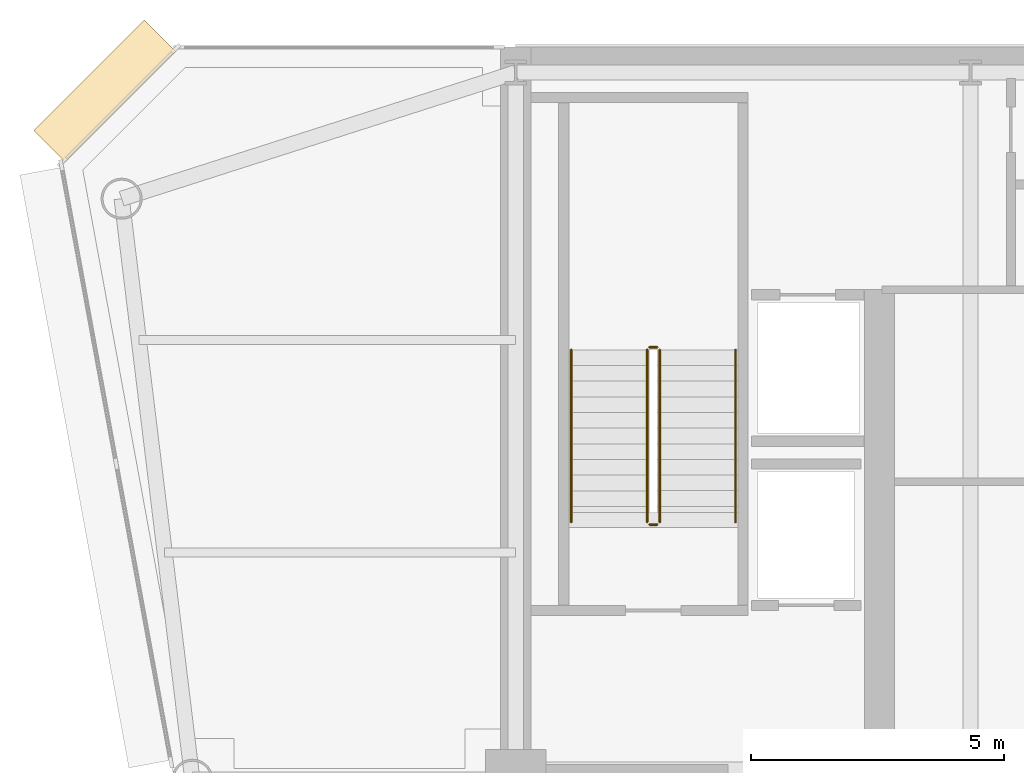
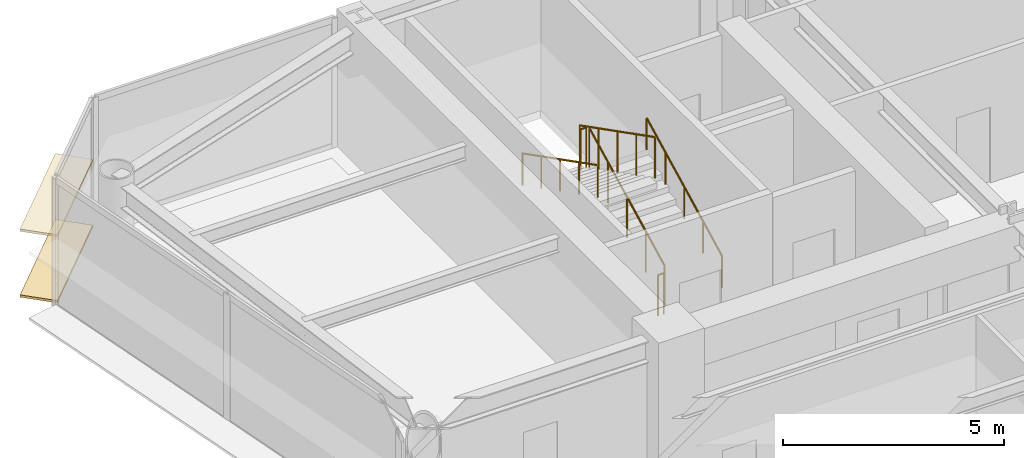
# One storey, part 13 of 15: 6 railings, 2 coverings.
"""IFC4 building model written with IfcOpenShell, lengths in metres."""

from ifc_helpers import new_model, si_unit, direction, frame, origin, origin_2d, place, context, subcontext, project, spatial, rectangle, circle, extrude, source, transform, mapped, material, layer, layer_set, type_object, element, save


model = new_model("IFC4")

# Units and contexts
model_context = context("Model", 3, precision=1e-05, world=origin(), true_north=direction((0.0, 1.0)))
body_context = subcontext(model_context, "Body", "Model", "MODEL_VIEW")
ifc_project = project(units=[si_unit("LENGTHUNIT", "METRE"), si_unit("AREAUNIT", "SQUARE_METRE"), si_unit("VOLUMEUNIT", "CUBIC_METRE"), si_unit("PLANEANGLEUNIT", "RADIAN"), si_unit("MASSUNIT", "GRAM", prefix="KILO")], contexts=[model_context])

# Site, building, storey
site_placement = place(None, origin())
site = spatial("IfcSite", under=ifc_project, at=site_placement, CompositionType="ELEMENT")
building_placement = place(site_placement, origin())
building = spatial("IfcBuilding", under=site, at=building_placement, Name="Vaeldorn Concourse Tower", CompositionType="ELEMENT")
storey_placement = place(building_placement, frame((0.0, 0.0, 199.39990234375)))
storey = spatial("IfcBuildingStorey", under=building, at=storey_placement, Name="L51", CompositionType="ELEMENT", Elevation=199.39990234375)

# Railings
ifc_material = material(Name="Anodised Bronze Aluminium", Category="aluminium")
railing_type_1 = type_object("IfcRailingType", Name="RL-STAIR-GUARD", PredefinedType="GUARDRAIL", material=ifc_material)
railing_1_placement = place(storey_placement, frame((16.85009765625, 41.60009765625, 0.158447265625)))
element("IfcRailing", 1, at=railing_1_placement, inside=storey, type_object=railing_type_1, Name="L51 ST-1 stair guard 1", PredefinedType="GUARDRAIL", context=body_context, shape_type="SweptSolid", body=[
    extrude(circle(Radius=0.02392578125, at=origin_2d()), frame((0.0, 0.0, 1.1259765625), z_axis=(0.0, 0.890555807335, 0.454873997962), x_axis=(-1.0, 0.0, 0.0)), (0.0, 0.0, 1.0), 3.828857421875),
    extrude(circle(Radius=0.02099609375, at=origin_2d()), origin(), (0.0, 0.0, 1.0), 1.101806640625),
    extrude(circle(Radius=0.02099609375, at=origin_2d()), frame((0.0, 0.8525390625, 0.435546875)), (0.0, 0.0, 1.0), 1.101806640625),
    extrude(circle(Radius=0.02099609375, at=origin_2d()), frame((0.0, 1.705078125, 0.870849609375)), (0.0, 0.0, 1.0), 1.101806640625),
    extrude(circle(Radius=0.02099609375, at=origin_2d()), frame((0.0, 2.557373046875, 1.30615234375)), (0.0, 0.0, 1.0), 1.101806640625),
    extrude(circle(Radius=0.02099609375, at=origin_2d()), frame((0.0, 3.409912109375, 1.74169921875)), (0.0, 0.0, 1.0), 1.101806640625),
])
railing_2_placement = place(storey_placement, frame((16.800048828125, 45.06005859375, 1.900146484375)))
element("IfcRailing", 2, at=railing_2_placement, inside=storey, type_object=railing_type_1, Name="L51 ST-1 stair guard 2", PredefinedType="GUARDRAIL", context=body_context, shape_type="SweptSolid", body=[
    extrude(circle(Radius=0.02392578125, at=origin_2d()), frame((0.0, 0.0, 1.1259765625), z_axis=(-1.0, 0.0, 0.0), x_axis=(0.0, -1.0, 0.0)), (0.0, 0.0, 1.0), 0.150146484375),
    extrude(circle(Radius=0.02099609375, at=origin_2d()), origin(), (0.0, 0.0, 1.0), 1.101806640625),
    extrude(circle(Radius=0.02099609375, at=origin_2d()), frame((-0.150146484375, 0.0, 0.0)), (0.0, 0.0, 1.0), 1.101806640625),
])
railing_3_placement = place(storey_placement, frame((16.60009765625, 45.010009765625, 2.058349609375)))
element("IfcRailing", 3, at=railing_3_placement, inside=storey, type_object=railing_type_1, Name="L51 ST-1 stair guard 3", PredefinedType="GUARDRAIL", context=body_context, shape_type="SweptSolid", body=[
    extrude(circle(Radius=0.02392578125, at=origin_2d()), frame((0.0, 0.0, 1.1259765625), z_axis=(0.0, -0.890555807335, 0.454873997962), x_axis=(1.0, 0.0, 0.0)), (0.0, 0.0, 1.0), 3.828857421875),
    extrude(circle(Radius=0.02099609375, at=origin_2d()), origin(), (0.0, 0.0, 1.0), 1.101806640625),
    extrude(circle(Radius=0.02099609375, at=origin_2d()), frame((0.0, -0.8525390625, 0.435546875)), (0.0, 0.0, 1.0), 1.101806640625),
    extrude(circle(Radius=0.02099609375, at=origin_2d()), frame((0.0, -1.705078125, 0.870849609375)), (0.0, 0.0, 1.0), 1.101806640625),
    extrude(circle(Radius=0.02099609375, at=origin_2d()), frame((0.0, -2.557373046875, 1.30615234375)), (0.0, 0.0, 1.0), 1.101806640625),
    extrude(circle(Radius=0.02099609375, at=origin_2d()), frame((0.0, -3.409912109375, 1.74169921875)), (0.0, 0.0, 1.0), 1.101806640625),
])
railing_4_placement = place(storey_placement, frame((16.800048828125, 41.550048828125, 0.0)))
element("IfcRailing", 4, at=railing_4_placement, inside=storey, type_object=railing_type_1, Name="L51 ST-1 stair guard 4", PredefinedType="GUARDRAIL", context=body_context, shape_type="SweptSolid", body=[
    extrude(circle(Radius=0.02392578125, at=origin_2d()), frame((0.0, 0.0, 1.1259765625), z_axis=(-1.0, 0.0, 0.0), x_axis=(0.0, -1.0, 0.0)), (0.0, 0.0, 1.0), 0.150146484375),
    extrude(circle(Radius=0.02099609375, at=origin_2d()), origin(), (0.0, 0.0, 1.0), 1.101806640625),
    extrude(circle(Radius=0.02099609375, at=origin_2d()), frame((-0.150146484375, 0.0, 0.0)), (0.0, 0.0, 1.0), 1.101806640625),
])
railing_type_2 = type_object("IfcRailingType", Name="RL-STAIR-HANDRAIL", PredefinedType="HANDRAIL", material=ifc_material)
railing_5_placement = place(storey_placement, frame((18.35009765625, 41.60009765625, 0.158447265625)))
element("IfcRailing", 5, at=railing_5_placement, inside=storey, type_object=railing_type_2, Name="L51 ST-1 stair handrail 1", PredefinedType="HANDRAIL", context=body_context, shape_type="SweptSolid", body=[
    extrude(circle(Radius=0.02392578125, at=origin_2d()), frame((0.0, 0.0, 0.8759765625), z_axis=(0.0, 0.890555807335, 0.454873997962), x_axis=(-1.0, 0.0, 0.0)), (0.0, 0.0, 1.0), 3.828857421875),
    extrude(circle(Radius=0.02099609375, at=origin_2d()), origin(), (0.0, 0.0, 1.0), 0.851806640625),
    extrude(circle(Radius=0.02099609375, at=origin_2d()), frame((0.0, 0.8525390625, 0.435546875)), (0.0, 0.0, 1.0), 0.851806640625),
    extrude(circle(Radius=0.02099609375, at=origin_2d()), frame((0.0, 1.705078125, 0.870849609375)), (0.0, 0.0, 1.0), 0.851806640625),
    extrude(circle(Radius=0.02099609375, at=origin_2d()), frame((0.0, 2.557373046875, 1.30615234375)), (0.0, 0.0, 1.0), 0.851806640625),
    extrude(circle(Radius=0.02099609375, at=origin_2d()), frame((0.0, 3.409912109375, 1.74169921875)), (0.0, 0.0, 1.0), 0.851806640625),
])
railing_6_placement = place(storey_placement, frame((15.10009765625, 45.010009765625, 2.058349609375)))
element("IfcRailing", 6, at=railing_6_placement, inside=storey, type_object=railing_type_2, Name="L51 ST-1 stair handrail 2", PredefinedType="HANDRAIL", context=body_context, shape_type="SweptSolid", body=[
    extrude(circle(Radius=0.02392578125, at=origin_2d()), frame((0.0, 0.0, 0.8759765625), z_axis=(0.0, -0.890555807335, 0.454873997962), x_axis=(1.0, 0.0, 0.0)), (0.0, 0.0, 1.0), 3.828857421875),
    extrude(circle(Radius=0.02099609375, at=origin_2d()), origin(), (0.0, 0.0, 1.0), 0.851806640625),
    extrude(circle(Radius=0.02099609375, at=origin_2d()), frame((0.0, -0.8525390625, 0.435546875)), (0.0, 0.0, 1.0), 0.851806640625),
    extrude(circle(Radius=0.02099609375, at=origin_2d()), frame((0.0, -1.705078125, 0.870849609375)), (0.0, 0.0, 1.0), 0.851806640625),
    extrude(circle(Radius=0.02099609375, at=origin_2d()), frame((0.0, -2.557373046875, 1.30615234375)), (0.0, 0.0, 1.0), 0.851806640625),
    extrude(circle(Radius=0.02099609375, at=origin_2d()), frame((0.0, -3.409912109375, 1.74169921875)), (0.0, 0.0, 1.0), 0.851806640625),
])

# Coverings
ifc_layer = layer(ifc_material, 0.06494140625)
ifc_layer_set = layer_set([ifc_layer], Name="Anodised Bronze Aluminium")
covering_type = type_object("IfcCoveringType", Name="SD-BRONZE-SUNSHADE", PredefinedType="USERDEFINED", material=ifc_layer_set)
shared_shape = source(origin(), body_context, "Body", "SweptSolid", [
    extrude(rectangle(XDim=3.0927734375, YDim=0.8798828125, at=origin_2d()), origin(), (0.0, 0.0, 1.0), 0.06494140625),
])
for number, where, z_axis, x_axis, name in (
    (7, (5.8671875, 50.1328125, 0.047607421875), (0.0, 0.0, 1.0), (-0.707106781187, -0.707106781187, 0.0), "Horizontal Bronze Sunshade L51-E10.1.1"),
    (8, (5.8671875, 50.1328125, 1.86767578125), (0.0, 0.0, 1.0), (-0.707106781187, -0.707106781187, 0.0), "Horizontal Bronze Sunshade L51-E10.1.2"),
):
    element("IfcCovering", number, at=place(storey_placement, frame(where, z_axis=z_axis, x_axis=x_axis)), inside=storey, type_object=covering_type, Name=name, ObjectType="SUNSHADE", PredefinedType="USERDEFINED", context=body_context, shape_type="MappedRepresentation", body=[
        mapped(shared_shape, transform((0.0, 0.0, 0.0), scale=1.0)),
    ])

save(model, "model.ifc")
